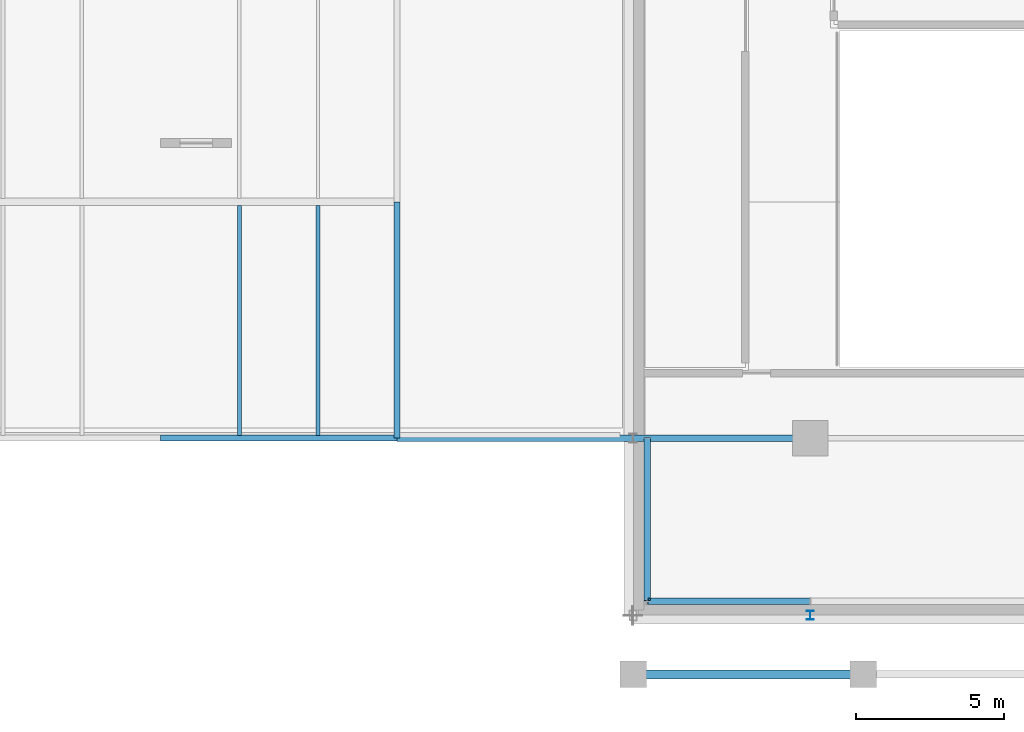
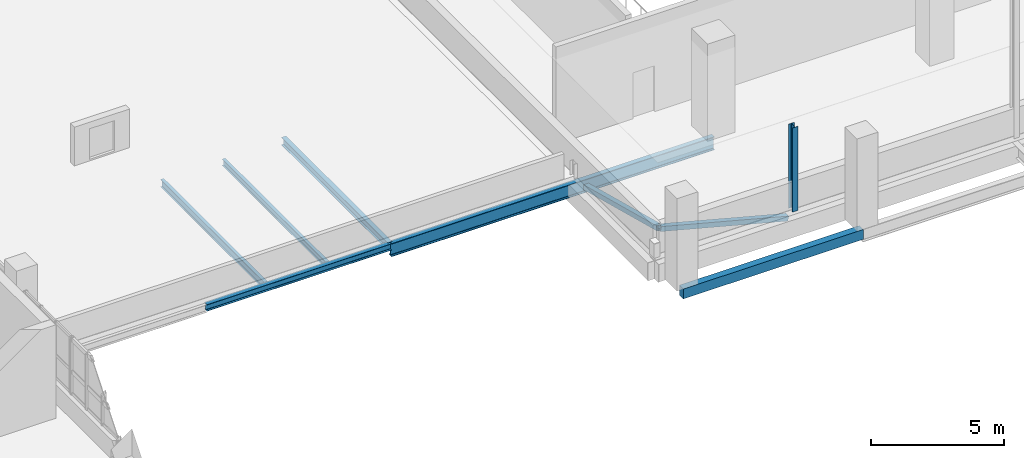
# One storey, part 15 of 85: 6 beams, 3 members.
"""IFC4 building model written with IfcOpenShell, lengths in metres."""

from ifc_helpers import new_model, si_unit, derived_unit, direction, frame, origin, origin_2d, place, context, subcontext, project, spatial, rectangle, hollow_rectangle, i_section, extrude, material, material_profile, profile_set, type_object, element, save


model = new_model("IFC4")

# Units and contexts
model_context = context("Model", 3, precision=1e-05, world=origin(), true_north=direction((0.0, 1.0)))
body_context = subcontext(model_context, "Body", "Model", "MODEL_VIEW")
ifc_project = project(units=[si_unit("LENGTHUNIT", "METRE"), si_unit("AREAUNIT", "SQUARE_METRE"), si_unit("VOLUMEUNIT", "CUBIC_METRE"), si_unit("PLANEANGLEUNIT", "RADIAN"), si_unit("MASSUNIT", "GRAM", prefix="KILO"), derived_unit("THERMALTRANSMITTANCEUNIT", [(si_unit("POWERUNIT", "WATT"), 1), (si_unit("LENGTHUNIT", "METRE"), -2), (si_unit("THERMODYNAMICTEMPERATUREUNIT", "KELVIN"), -1)])], contexts=[model_context])

# Site, building, storey
site_placement = place(None, origin())
site = spatial("IfcSite", under=ifc_project, at=site_placement, CompositionType="ELEMENT")
building_placement = place(site_placement, origin())
building = spatial("IfcBuilding", under=site, at=building_placement, Name="Nallur Shell Playhouse", CompositionType="ELEMENT")
storey_placement = place(building_placement, frame((0.0, 0.0, 19.800048828125)))
storey = spatial("IfcBuildingStorey", under=building, at=storey_placement, Name="L05", CompositionType="ELEMENT", Elevation=19.800048828125)

# Beams
ifc_material_1 = material(Name="Steel E250", Category="steel")
ifc_material_profile_1 = material_profile(ifc_material_1, i_section(OverallWidth=0.139892578125, OverallDepth=0.300048828125, WebThickness=0.0078125, FlangeThickness=0.01318359375, FilletRadius=0.013916015625, at=origin_2d()), Name="ISMB 300")
ifc_profile_set_1 = profile_set([ifc_material_profile_1], Name="Steel E250")
beam_type_1 = type_object("IfcBeamType", Name="BM-JST-ISMB300", PredefinedType="JOIST", material=ifc_profile_set_1)
beam_1_placement = place(storey_placement, frame((53.333251953125, 16.097900390625, -0.400146484375), z_axis=(0.0, 1.0, 0.0), x_axis=(-1.0, 0.0, 0.0)))
element("IfcBeam", 1, at=beam_1_placement, inside=storey, type_object=beam_type_1, Name="L05 secondary joist 6-B-1089", PredefinedType="JOIST", context=body_context, shape_type="SweptSolid", body=[
    extrude(i_section(OverallWidth=0.139892578125, OverallDepth=0.300048828125, WebThickness=0.0078125, FlangeThickness=0.01318359375, FilletRadius=0.013916015625, at=origin_2d()), origin(), (0.0, 0.0, 1.0), 7.779052734375),
])
ifc_material_profile_2 = material_profile(ifc_material_1, i_section(OverallWidth=0.139892578125, OverallDepth=0.35009765625, WebThickness=0.008056640625, FlangeThickness=0.01416015625, FilletRadius=0.013916015625, at=origin_2d()), Name="ISMB 350")
ifc_profile_set_2 = profile_set([ifc_material_profile_2], Name="Steel E250")
beam_type_2 = type_object("IfcBeamType", Name="BM-JST-ISMB350", PredefinedType="JOIST", material=ifc_profile_set_2)
beam_2_placement = place(storey_placement, frame((50.666748046875, 16.097900390625, -0.425048828125), z_axis=(0.0, 1.0, 0.0), x_axis=(-1.0, 0.0, 0.0)))
element("IfcBeam", 2, at=beam_2_placement, inside=storey, type_object=beam_type_2, Name="L05 secondary joist 6-B-1088", PredefinedType="JOIST", context=body_context, shape_type="SweptSolid", body=[
    extrude(i_section(OverallWidth=0.139892578125, OverallDepth=0.35009765625, WebThickness=0.008056640625, FlangeThickness=0.01416015625, FilletRadius=0.013916015625, at=origin_2d()), origin(), (0.0, 0.0, 1.0), 7.779052734375),
])
ifc_material_2 = material(Name="Concrete M35", Category="concrete")
ifc_material_profile_3 = material_profile(ifc_material_2, rectangle(XDim=0.300048828125, YDim=0.449951171875, at=origin_2d()), Name="RC 300x450")
ifc_profile_set_3 = profile_set([ifc_material_profile_3], Name="Concrete M35")
beam_type_3 = type_object("IfcBeamType", Name="BM-SPN-300x450", PredefinedType="SPANDREL", material=ifc_profile_set_3)
beam_3_placement = place(storey_placement, frame((64.0, 8.0, -0.47509765625), z_axis=(1.0, 0.0, 0.0), x_axis=(0.0, 1.0, 0.0)))
element("IfcBeam", 3, at=beam_3_placement, inside=storey, type_object=beam_type_3, Name="L05 girder X-A-928", PredefinedType="SPANDREL", context=body_context, shape_type="SweptSolid", body=[
    extrude(rectangle(XDim=0.300048828125, YDim=0.449951171875, at=origin_2d()), origin(), (0.0, 0.0, 1.0), 7.800048828125),
])
ifc_material_3 = material(Name="Steel E350", Category="steel")
ifc_material_profile_4 = material_profile(ifc_material_3, i_section(OverallWidth=0.2099609375, OverallDepth=0.60009765625, WebThickness=0.011962890625, FlangeThickness=0.020751953125, FilletRadius=0.02001953125, at=origin_2d()), Name="ISMB 600")
ifc_profile_set_4 = profile_set([ifc_material_profile_4], Name="Steel E350")
beam_type_4 = type_object("IfcBeamType", Name="BM-ST-ISMB600", PredefinedType="BEAM", material=ifc_profile_set_4)
beam_4_placement = place(storey_placement, frame((56.0, 16.0, -0.550048828125), z_axis=(1.0, 0.0, 0.0), x_axis=(0.0, 1.0, 0.0)))
element("IfcBeam", 4, at=beam_4_placement, inside=storey, type_object=beam_type_4, Name="L05 girder X-B-936", PredefinedType="BEAM", context=body_context, shape_type="SweptSolid", body=[
    extrude(i_section(OverallWidth=0.2099609375, OverallDepth=0.60009765625, WebThickness=0.011962890625, FlangeThickness=0.020751953125, FilletRadius=0.02001953125, at=origin_2d()), origin(), (0.0, 0.0, 1.0), 14.0),
])
ifc_material_profile_5 = material_profile(ifc_material_1, i_section(OverallWidth=0.199951171875, OverallDepth=0.300048828125, WebThickness=0.00732421875, FlangeThickness=0.010009765625, FilletRadius=0.010986328125, at=origin_2d()), Name="ISWB 300")
ifc_profile_set_5 = profile_set([ifc_material_profile_5], Name="Steel E250")
beam_type_5 = type_object("IfcBeamType", Name="BM-ST-ISWB300", PredefinedType="BEAM", material=ifc_profile_set_5)
beam_5_placement = place(storey_placement, frame((48.0, 16.0, -0.400146484375), z_axis=(1.0, 0.0, 0.0), x_axis=(0.0, 1.0, 0.0)))
element("IfcBeam", 5, at=beam_5_placement, inside=storey, type_object=beam_type_5, Name="L05 girder X-B-935", PredefinedType="BEAM", context=body_context, shape_type="SweptSolid", body=[
    extrude(i_section(OverallWidth=0.199951171875, OverallDepth=0.300048828125, WebThickness=0.00732421875, FlangeThickness=0.010009765625, FilletRadius=0.010986328125, at=origin_2d()), origin(), (0.0, 0.0, 1.0), 8.0),
])
ifc_material_profile_6 = material_profile(ifc_material_3, i_section(OverallWidth=0.199951171875, OverallDepth=0.35009765625, WebThickness=0.008056640625, FlangeThickness=0.011474609375, FilletRadius=0.011962890625, at=origin_2d()), Name="ISWB 350")
ifc_profile_set_6 = profile_set([ifc_material_profile_6], Name="Steel E350")
beam_type_6 = type_object("IfcBeamType", Name="BM-ST-ISWB350", PredefinedType="BEAM", material=ifc_profile_set_6)
beam_6_placement = place(storey_placement, frame((56.0, 16.0, -0.425048828125), z_axis=(0.0, 1.0, 0.0), x_axis=(-1.0, 0.0, 0.0)))
element("IfcBeam", 6, at=beam_6_placement, inside=storey, type_object=beam_type_6, Name="L05 girder Y-7-1014", PredefinedType="BEAM", context=body_context, shape_type="SweptSolid", body=[
    extrude(i_section(OverallWidth=0.199951171875, OverallDepth=0.35009765625, WebThickness=0.008056640625, FlangeThickness=0.011474609375, FilletRadius=0.011962890625, at=origin_2d()), origin(), (0.0, 0.0, 1.0), 8.0),
])

# Members
ifc_material_profile_7 = material_profile(ifc_material_3, i_section(OverallWidth=0.25, OverallDepth=0.300048828125, WebThickness=0.009521484375, FlangeThickness=0.010498046875, FilletRadius=0.010986328125, at=origin_2d()), Name="ISHB 300")
ifc_profile_set_7 = profile_set([ifc_material_profile_7], Name="Steel E350")
member_type_1 = type_object("IfcMemberType", Name="MB-FASCIA-POST", PredefinedType="POST", material=ifc_profile_set_7)
member_placement = place(storey_placement, frame((70.0, 10.0, 0.0), z_axis=(0.0, 0.0, 1.0), x_axis=(1.0, 0.0, 0.0)))
element("IfcMember", 7, at=member_placement, inside=storey, type_object=member_type_1, Name="Cantilever truss fascia post POST-GB-L05-02", PredefinedType="POST", context=body_context, shape_type="SweptSolid", body=[
    extrude(i_section(OverallWidth=0.25, OverallDepth=0.300048828125, WebThickness=0.009521484375, FlangeThickness=0.010498046875, FilletRadius=0.010986328125, at=origin_2d()), origin(), (0.0, 0.0, 1.0), 3.85595703125),
])
ifc_material_profile_8 = material_profile(ifc_material_3, hollow_rectangle(XDim=0.219970703125, YDim=0.219970703125, WallThickness=0.011962890625, at=origin_2d()), Name="SHS 220x220x12")
ifc_profile_set_8 = profile_set([ifc_material_profile_8], Name="Steel E350")
member_type_2 = type_object("IfcMemberType", Name="MB-FT-BRACE2", PredefinedType="BRACE", material=ifc_profile_set_8)
for number, where, z_axis, x_axis, name in (
    (8, (64.47998046875, 16.0, -0.650146484375), (0.0, -0.967179733798, 0.254093216221), (1.0, 0.0, 0.0), "Gold box fascia brace L05-1"),
    (9, (70.0, 10.47998046875, -0.650146484375), (-0.967179733798, 0.0, 0.254093216221), (0.0, -1.0, 0.0), "Gold box fascia brace L05-5"),
):
    element("IfcMember", number, at=place(storey_placement, frame(where, z_axis=z_axis, x_axis=x_axis)), inside=storey, type_object=member_type_2, Name=name, PredefinedType="BRACE", context=body_context, shape_type="SweptSolid", body=[
        extrude(hollow_rectangle(XDim=0.219970703125, YDim=0.219970703125, WallThickness=0.011962890625, at=origin_2d()), origin(), (0.0, 0.0, 1.0), 5.707275390625),
    ])

save(model, "model.ifc")
